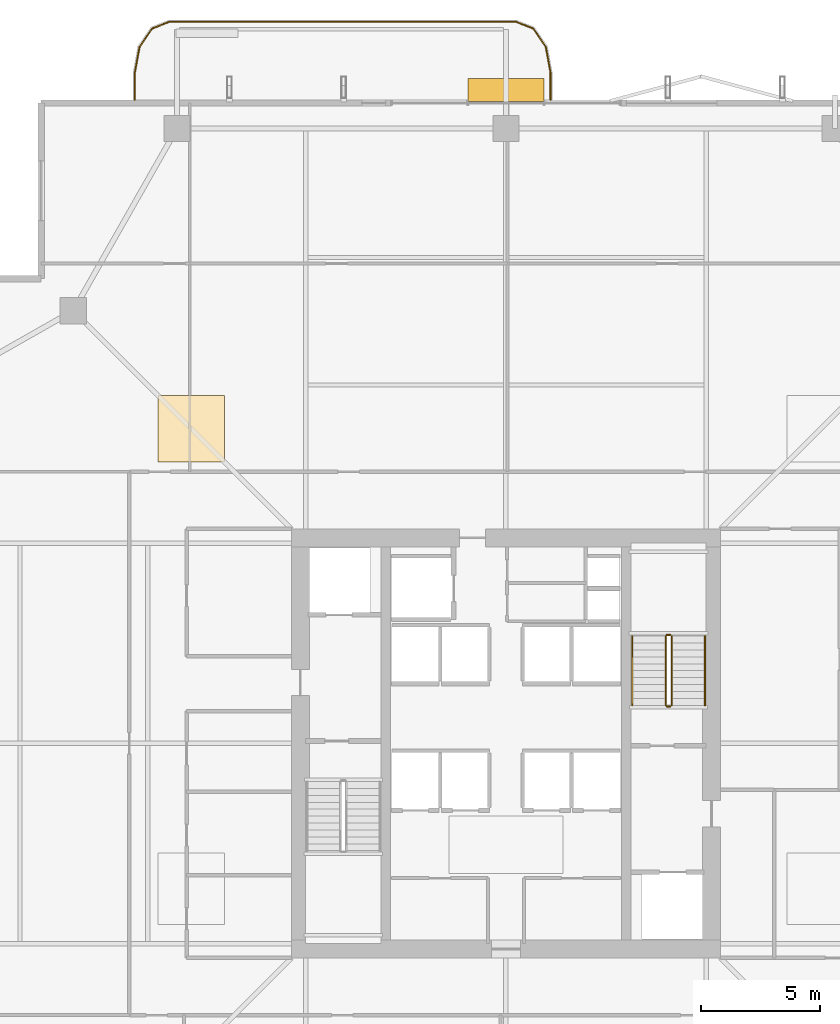
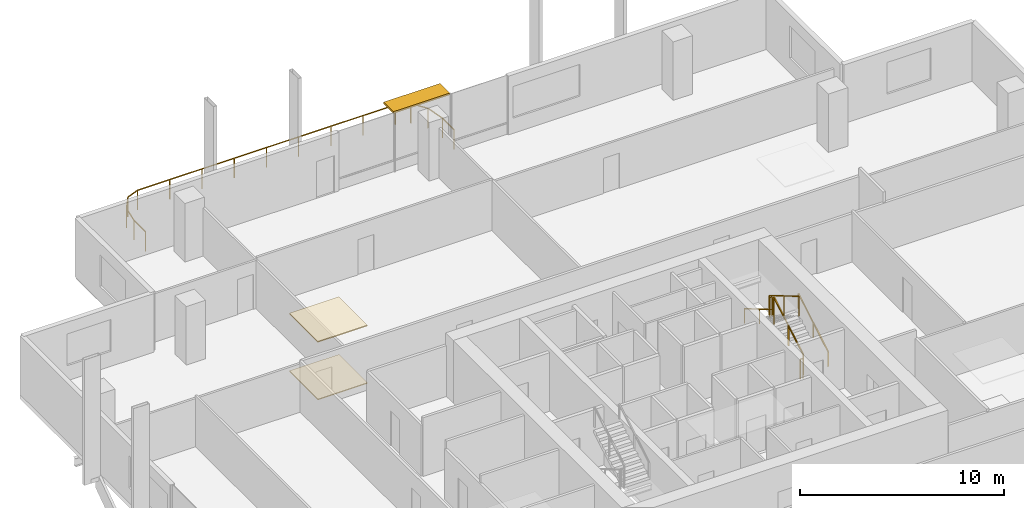
# One storey, part 23 of 24: 7 railings, 2 coverings, 1 shading device.
"""IFC4 building model written with IfcOpenShell, lengths in metres."""

from ifc_helpers import new_model, si_unit, direction, frame, origin, origin_2d, place, context, subcontext, project, spatial, polyline, rectangle, outline, extrude, material, layer, layer_set, type_object, element, save


model = new_model("IFC4")

# Units and contexts
model_context = context("Model", 3, precision=1e-05, world=origin(), true_north=direction((0.0, 1.0)))
body_context = subcontext(model_context, "Body", "Model", "MODEL_VIEW")
ifc_project = project(units=[si_unit("LENGTHUNIT", "METRE"), si_unit("AREAUNIT", "SQUARE_METRE"), si_unit("VOLUMEUNIT", "CUBIC_METRE"), si_unit("PLANEANGLEUNIT", "RADIAN"), si_unit("MASSUNIT", "GRAM", prefix="KILO")], contexts=[model_context])

# Site, building, storey
site_placement = place(None, origin())
site = spatial("IfcSite", under=ifc_project, at=site_placement, CompositionType="ELEMENT")
building_placement = place(site_placement, origin())
building = spatial("IfcBuilding", under=site, at=building_placement, Name="Belovzor Exchange Tower", CompositionType="ELEMENT")
storey_placement = place(building_placement, frame((0.0, 0.0, 211.199951171875)))
storey = spatial("IfcBuildingStorey", under=building, at=storey_placement, Name="L52", CompositionType="ELEMENT", Elevation=211.199951171875)

# Railings
ifc_material_1 = material(Name="Stainless Steel Grade 304", Category="steel")
railing_type_1 = type_object("IfcRailingType", Name="Brushed Stainless Steel Stair Handrail 900", PredefinedType="HANDRAIL", material=ifc_material_1)
railing_1_placement = place(storey_placement, frame((37.14990234375, 30.39990234375, 0.17041015625)))
element("IfcRailing", 1, at=railing_1_placement, inside=storey, type_object=railing_type_1, Name="L52 ST-2 stair handrail 1", PredefinedType="HANDRAIL", context=body_context, shape_type="SweptSolid", body=[
    extrude(rectangle(XDim=0.048095703125, YDim=0.048095703125, at=origin_2d()), frame((0.0, 0.0, 0.8759765625), z_axis=(0.0, 0.862113265706, 0.506715617574), x_axis=(-1.0, 0.0, 0.0)), (0.0, 0.0, 1.0), 3.364013671875),
    extrude(rectangle(XDim=0.0419921875, YDim=0.0419921875, at=origin_2d()), origin(), (0.0, 0.0, 1.0), 0.851806640625),
    extrude(rectangle(XDim=0.0419921875, YDim=0.0419921875, at=origin_2d()), frame((0.0, 1.4501953125, 0.852294921875)), (0.0, 0.0, 1.0), 0.851806640625),
    extrude(rectangle(XDim=0.0419921875, YDim=0.0419921875, at=origin_2d()), frame((0.0, 2.900146484375, 1.70458984375)), (0.0, 0.0, 1.0), 0.851806640625),
])
railing_2_placement = place(storey_placement, frame((34.10009765625, 33.300048828125, 2.04541015625)))
element("IfcRailing", 2, at=railing_2_placement, inside=storey, type_object=railing_type_1, Name="L52 ST-2 stair handrail 2", PredefinedType="HANDRAIL", context=body_context, shape_type="SweptSolid", body=[
    extrude(rectangle(XDim=0.048095703125, YDim=0.048095703125, at=origin_2d()), frame((0.0, 0.0, 0.8759765625), z_axis=(0.0, -0.862113265706, 0.506715617574), x_axis=(1.0, 0.0, 0.0)), (0.0, 0.0, 1.0), 3.364013671875),
    extrude(rectangle(XDim=0.0419921875, YDim=0.0419921875, at=origin_2d()), origin(), (0.0, 0.0, 1.0), 0.851806640625),
    extrude(rectangle(XDim=0.0419921875, YDim=0.0419921875, at=origin_2d()), frame((0.0, -1.4501953125, 0.852294921875)), (0.0, 0.0, 1.0), 0.851806640625),
    extrude(rectangle(XDim=0.0419921875, YDim=0.0419921875, at=origin_2d()), frame((0.0, -2.900146484375, 1.70458984375)), (0.0, 0.0, 1.0), 0.851806640625),
])
ifc_material_2 = material(Name="Stainless Steel and Laminated Safety Glass", Category="steel")
railing_type_2 = type_object("IfcRailingType", Name="Laminated Glass & Stainless Steel Balcony Balustrade 1200", PredefinedType="BALUSTRADE", material=ifc_material_2)
railing_3_placement = place(storey_placement, frame((30.669921875, 55.81005859375, 0.0)))
element("IfcRailing", 3, at=railing_3_placement, inside=storey, type_object=railing_type_2, Name="GR-1 Balcony Balustrade L52 North", PredefinedType="BALUSTRADE", context=body_context, shape_type="SweptSolid", body=[
    extrude(rectangle(XDim=0.048095703125, YDim=0.048095703125, at=origin_2d()), frame((0.0, 0.0, 1.17578125), z_axis=(0.0, 1.0, 0.0), x_axis=(-1.0, 0.0, 0.0)), (0.0, 0.0, 1.0), 1.133056640625),
    extrude(rectangle(XDim=0.048095703125, YDim=0.048095703125, at=origin_2d()), frame((0.0, 1.133056640625, 1.17578125), z_axis=(-0.180122719713, 0.983644145941, 0.0), x_axis=(-0.983644145941, -0.180122719713, 0.0)), (0.0, 0.0, 1.0), 1.09375),
    extrude(rectangle(XDim=0.048095703125, YDim=0.048095703125, at=origin_2d()), frame((-0.197021484375, 2.208984375, 1.17578125), z_axis=(-0.562768145367, 0.826614792125, 0.0), x_axis=(-0.826614792125, -0.562768145367, 0.0)), (0.0, 0.0, 1.0), 0.9326171875),
    extrude(rectangle(XDim=0.048095703125, YDim=0.048095703125, at=origin_2d()), frame((-0.721923828125, 2.97998046875, 1.17578125), z_axis=(-0.930766990125, 0.365612923861, 0.0), x_axis=(-0.365612923861, -0.930766990125, 0.0)), (0.0, 0.0, 1.0), 0.765869140625),
    extrude(rectangle(XDim=0.048095703125, YDim=0.048095703125, at=origin_2d()), frame((-1.434814453125, 3.260009765625, 1.17578125), z_axis=(-1.0, 0.0, 0.0), x_axis=(0.0, -1.0, 0.0)), (0.0, 0.0, 1.0), 14.570068359375),
    extrude(rectangle(XDim=0.048095703125, YDim=0.048095703125, at=origin_2d()), frame((-16.0048828125, 3.260009765625, 1.17578125), z_axis=(-0.930809580156, -0.365504480807, 0.0), x_axis=(0.365504480807, -0.930809580156, 0.0)), (0.0, 0.0, 1.0), 0.76611328125),
    extrude(rectangle(XDim=0.048095703125, YDim=0.048095703125, at=origin_2d()), frame((-16.718017578125, 2.97998046875, 1.17578125), z_axis=(-0.562768145367, -0.826614792125, 0.0), x_axis=(0.826614792125, -0.562768145367, 0.0)), (0.0, 0.0, 1.0), 0.9326171875),
    extrude(rectangle(XDim=0.048095703125, YDim=0.048095703125, at=origin_2d()), frame((-17.242919921875, 2.208984375, 1.17578125), z_axis=(-0.180122719713, -0.983644145941, 0.0), x_axis=(0.983644145941, -0.180122719713, 0.0)), (0.0, 0.0, 1.0), 1.09375),
    extrude(rectangle(XDim=0.048095703125, YDim=0.048095703125, at=origin_2d()), frame((-17.43994140625, 1.133056640625, 1.17578125), z_axis=(0.0, -1.0, 0.0), x_axis=(1.0, 0.0, 0.0)), (0.0, 0.0, 1.0), 1.133056640625),
    extrude(rectangle(XDim=0.0419921875, YDim=0.0419921875, at=origin_2d()), origin(), (0.0, 0.0, 1.0), 1.15185546875),
    extrude(rectangle(XDim=0.0419921875, YDim=0.0419921875, at=origin_2d()), frame((0.0, 1.133056640625, 0.0)), (0.0, 0.0, 1.0), 1.15185546875),
    extrude(rectangle(XDim=0.0419921875, YDim=0.0419921875, at=origin_2d()), frame((-0.197021484375, 2.208984375, 0.0)), (0.0, 0.0, 1.0), 1.15185546875),
    extrude(rectangle(XDim=0.0419921875, YDim=0.0419921875, at=origin_2d()), frame((-0.721923828125, 2.97998046875, 0.0)), (0.0, 0.0, 1.0), 1.15185546875),
    extrude(rectangle(XDim=0.0419921875, YDim=0.0419921875, at=origin_2d()), frame((-1.434814453125, 3.260009765625, 0.0)), (0.0, 0.0, 1.0), 1.15185546875),
    extrude(rectangle(XDim=0.0419921875, YDim=0.0419921875, at=origin_2d()), frame((-3.256103515625, 3.260009765625, 0.0)), (0.0, 0.0, 1.0), 1.15185546875),
    extrude(rectangle(XDim=0.0419921875, YDim=0.0419921875, at=origin_2d()), frame((-5.077392578125, 3.260009765625, 0.0)), (0.0, 0.0, 1.0), 1.15185546875),
    extrude(rectangle(XDim=0.0419921875, YDim=0.0419921875, at=origin_2d()), frame((-6.898681640625, 3.260009765625, 0.0)), (0.0, 0.0, 1.0), 1.15185546875),
    extrude(rectangle(XDim=0.0419921875, YDim=0.0419921875, at=origin_2d()), frame((-8.7197265625, 3.260009765625, 0.0)), (0.0, 0.0, 1.0), 1.15185546875),
    extrude(rectangle(XDim=0.0419921875, YDim=0.0419921875, at=origin_2d()), frame((-10.541015625, 3.260009765625, 0.0)), (0.0, 0.0, 1.0), 1.15185546875),
    extrude(rectangle(XDim=0.0419921875, YDim=0.0419921875, at=origin_2d()), frame((-12.3623046875, 3.260009765625, 0.0)), (0.0, 0.0, 1.0), 1.15185546875),
    extrude(rectangle(XDim=0.0419921875, YDim=0.0419921875, at=origin_2d()), frame((-14.18359375, 3.260009765625, 0.0)), (0.0, 0.0, 1.0), 1.15185546875),
    extrude(rectangle(XDim=0.0419921875, YDim=0.0419921875, at=origin_2d()), frame((-16.0048828125, 3.260009765625, 0.0)), (0.0, 0.0, 1.0), 1.15185546875),
    extrude(rectangle(XDim=0.0419921875, YDim=0.0419921875, at=origin_2d()), frame((-16.718017578125, 2.97998046875, 0.0)), (0.0, 0.0, 1.0), 1.15185546875),
    extrude(rectangle(XDim=0.0419921875, YDim=0.0419921875, at=origin_2d()), frame((-17.242919921875, 2.208984375, 0.0)), (0.0, 0.0, 1.0), 1.15185546875),
    extrude(rectangle(XDim=0.0419921875, YDim=0.0419921875, at=origin_2d()), frame((-17.43994140625, 1.133056640625, 0.0)), (0.0, 0.0, 1.0), 1.15185546875),
    extrude(rectangle(XDim=0.0419921875, YDim=0.0419921875, at=origin_2d()), frame((-17.43994140625, 0.0, 0.0)), (0.0, 0.0, 1.0), 1.15185546875),
])
ifc_material_3 = material(Name="Steel S355", Category="steel")
railing_type_3 = type_object("IfcRailingType", Name="Painted Steel Stairwell Guardrail 1200", PredefinedType="GUARDRAIL", material=ifc_material_3)
railing_4_placement = place(storey_placement, frame((35.75, 30.39990234375, 0.17041015625)))
element("IfcRailing", 4, at=railing_4_placement, inside=storey, type_object=railing_type_3, Name="L52 ST-2 stair guard 1", PredefinedType="GUARDRAIL", context=body_context, shape_type="SweptSolid", body=[
    extrude(rectangle(XDim=0.048095703125, YDim=0.048095703125, at=origin_2d()), frame((0.0, 0.0, 1.17578125), z_axis=(0.0, 0.862113265706, 0.506715617574), x_axis=(-1.0, 0.0, 0.0)), (0.0, 0.0, 1.0), 3.364013671875),
    extrude(rectangle(XDim=0.0419921875, YDim=0.0419921875, at=origin_2d()), origin(), (0.0, 0.0, 1.0), 1.15185546875),
    extrude(rectangle(XDim=0.0419921875, YDim=0.0419921875, at=origin_2d()), frame((0.0, 1.4501953125, 0.852294921875)), (0.0, 0.0, 1.0), 1.15185546875),
    extrude(rectangle(XDim=0.0419921875, YDim=0.0419921875, at=origin_2d()), frame((0.0, 2.900146484375, 1.70458984375)), (0.0, 0.0, 1.0), 1.15185546875),
])
railing_5_placement = place(storey_placement, frame((35.699951171875, 33.35009765625, 1.875)))
element("IfcRailing", 5, at=railing_5_placement, inside=storey, type_object=railing_type_3, Name="L52 ST-2 stair guard 2", PredefinedType="GUARDRAIL", context=body_context, shape_type="SweptSolid", body=[
    extrude(rectangle(XDim=0.048095703125, YDim=0.048095703125, at=origin_2d()), frame((0.0, 0.0, 1.17578125), z_axis=(-1.0, 0.0, 0.0), x_axis=(0.0, -1.0, 0.0)), (0.0, 0.0, 1.0), 0.14990234375),
    extrude(rectangle(XDim=0.0419921875, YDim=0.0419921875, at=origin_2d()), origin(), (0.0, 0.0, 1.0), 1.15185546875),
    extrude(rectangle(XDim=0.0419921875, YDim=0.0419921875, at=origin_2d()), frame((-0.14990234375, 0.0, 0.0)), (0.0, 0.0, 1.0), 1.15185546875),
])
railing_6_placement = place(storey_placement, frame((35.5, 33.300048828125, 2.04541015625)))
element("IfcRailing", 6, at=railing_6_placement, inside=storey, type_object=railing_type_3, Name="L52 ST-2 stair guard 3", PredefinedType="GUARDRAIL", context=body_context, shape_type="SweptSolid", body=[
    extrude(rectangle(XDim=0.048095703125, YDim=0.048095703125, at=origin_2d()), frame((0.0, 0.0, 1.17578125), z_axis=(0.0, -0.862113265706, 0.506715617574), x_axis=(1.0, 0.0, 0.0)), (0.0, 0.0, 1.0), 3.364013671875),
    extrude(rectangle(XDim=0.0419921875, YDim=0.0419921875, at=origin_2d()), origin(), (0.0, 0.0, 1.0), 1.15185546875),
    extrude(rectangle(XDim=0.0419921875, YDim=0.0419921875, at=origin_2d()), frame((0.0, -1.4501953125, 0.852294921875)), (0.0, 0.0, 1.0), 1.15185546875),
    extrude(rectangle(XDim=0.0419921875, YDim=0.0419921875, at=origin_2d()), frame((0.0, -2.900146484375, 1.70458984375)), (0.0, 0.0, 1.0), 1.15185546875),
])
railing_7_placement = place(storey_placement, frame((35.699951171875, 30.35009765625, 0.0)))
element("IfcRailing", 7, at=railing_7_placement, inside=storey, type_object=railing_type_3, Name="L52 ST-2 stair guard 4", PredefinedType="GUARDRAIL", context=body_context, shape_type="SweptSolid", body=[
    extrude(rectangle(XDim=0.048095703125, YDim=0.048095703125, at=origin_2d()), frame((0.0, 0.0, 1.17578125), z_axis=(-1.0, 0.0, 0.0), x_axis=(0.0, -1.0, 0.0)), (0.0, 0.0, 1.0), 0.14990234375),
    extrude(rectangle(XDim=0.0419921875, YDim=0.0419921875, at=origin_2d()), origin(), (0.0, 0.0, 1.0), 1.15185546875),
    extrude(rectangle(XDim=0.0419921875, YDim=0.0419921875, at=origin_2d()), frame((-0.14990234375, 0.0, 0.0)), (0.0, 0.0, 1.0), 1.15185546875),
])

# Coverings
ifc_material_4 = material(Name="Perforated Powder-Coated Aluminium", Category="aluminium")
ifc_layer_1 = layer(ifc_material_4, 0.06005859375)
ifc_layer_set_1 = layer_set([ifc_layer_1], Name="Perforated Powder-Coated Aluminium")
covering_type_1 = type_object("IfcCoveringType", Name="Perforated Acoustic Metal Tile Suspended Ceiling 60", PredefinedType="CEILING", material=ifc_layer_set_1)
covering_1_placement = place(storey_placement, frame((0.0, 0.0, 3.43994140625)))
element("IfcCovering", 8, at=covering_1_placement, inside=storey, type_object=covering_type_1, Name="CLG-AC60 Suspended Ceiling CLG-L52-Z2", PredefinedType="CEILING", context=body_context, shape_type="SweptSolid", body=[
    extrude(outline(polyline([(14.199951171875, 40.60009765625), (17.0, 40.60009765625), (17.0, 43.39990234375), (14.199951171875, 43.39990234375), (14.199951171875, 40.60009765625)])), origin(), (0.0, 0.0, 1.0), 0.06005859375),
])
ifc_material_5 = material(Name="Polished Natural Granite Tile", Category="masonry")
ifc_layer_2 = layer(ifc_material_5, 0.050048828125)
ifc_layer_set_2 = layer_set([ifc_layer_2], Name="Polished Natural Granite Tile")
covering_type_2 = type_object("IfcCoveringType", Name="Polished Karelian Granite & Raised Access Floor Finish 50", PredefinedType="FLOORING", material=ifc_layer_set_2)
covering_2_placement = place(storey_placement, origin())
element("IfcCovering", 9, at=covering_2_placement, inside=storey, type_object=covering_type_2, Name="FLR-GR50 Floor Finish FLR-L52-Z2", PredefinedType="FLOORING", context=body_context, shape_type="SweptSolid", body=[
    extrude(outline(polyline([(14.199951171875, 40.60009765625), (17.0, 40.60009765625), (17.0, 43.39990234375), (14.199951171875, 43.39990234375), (14.199951171875, 40.60009765625)])), origin(), (0.0, 0.0, 1.0), 0.050048828125),
])

# Shading device
ifc_material_6 = material(Name="Extruded Architectural Terracotta", Category="masonry")
ifc_layer_3 = layer(ifc_material_6, 0.1201171875)
ifc_layer_set_3 = layer_set([ifc_layer_3], Name="Extruded Architectural Terracotta")
shading_device_type = type_object("IfcShadingDeviceType", Name="Streamline Terracotta Horizontal Sunshade Hood 950", PredefinedType="AWNING", material=ifc_layer_set_3)
shading_device_placement = place(storey_placement, frame((28.800048828125, 56.215087890625, 3.3798828125), z_axis=(0.0, 0.0, 1.0), x_axis=(1.0, 0.0, 0.0)))
element("IfcShadingDevice", 10, at=shading_device_placement, inside=storey, type_object=shading_device_type, Name="SHD-TC095 Terracotta Sunshade L52 N", PredefinedType="AWNING", context=body_context, shape_type="SweptSolid", body=[
    extrude(rectangle(XDim=3.199951171875, YDim=0.949951171875, at=origin_2d()), origin(), (0.0, 0.0, 1.0), 0.1201171875),
])

save(model, "model.ifc")
